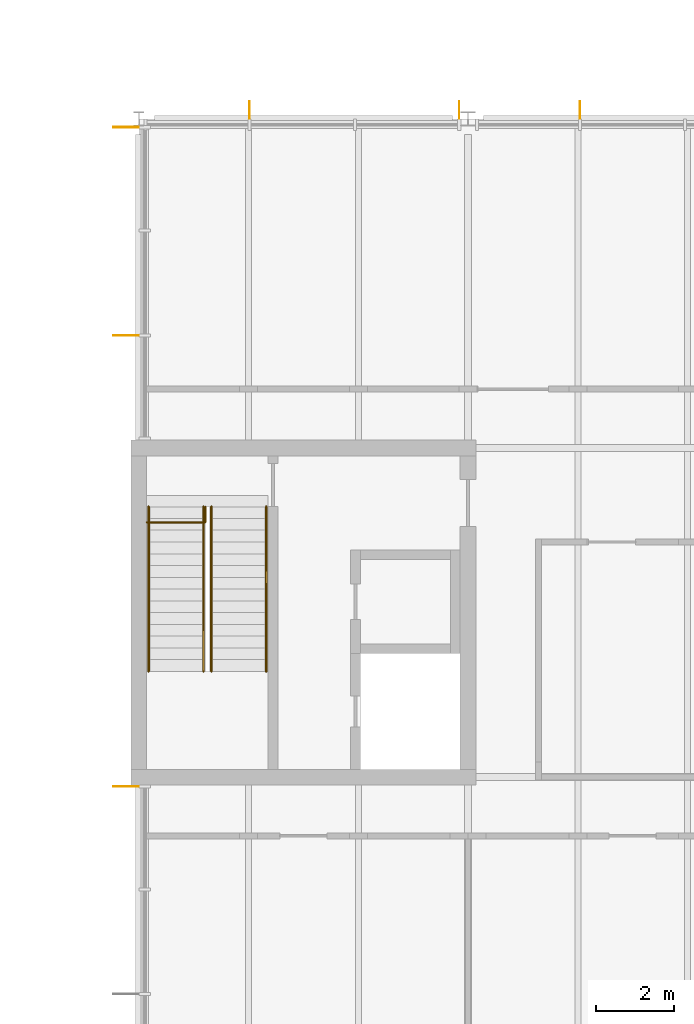
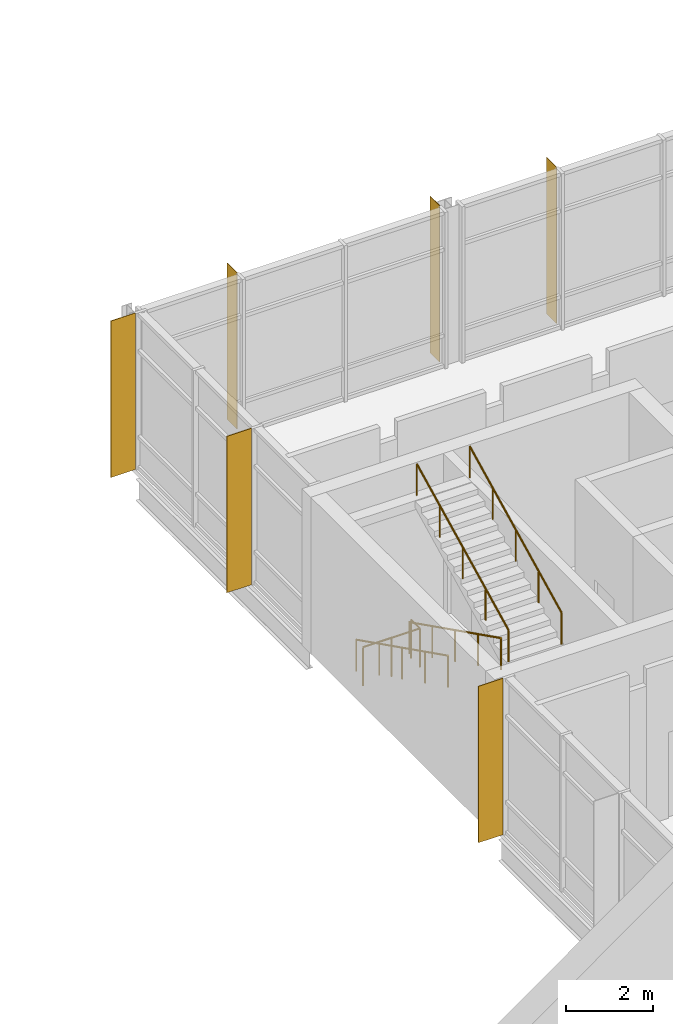
# One storey, part 87 of 89: 6 shading devices, 5 railings.
"""IFC4 building model written with IfcOpenShell, lengths in metres."""

from ifc_helpers import new_model, si_unit, direction, frame, origin, origin_2d, place, context, subcontext, project, spatial, rectangle, circle, extrude, material, layer, layer_set, type_object, element, save


model = new_model("IFC4")

# Units and contexts
model_context = context("Model", 3, precision=1e-05, world=origin(), true_north=direction((0.0, 1.0)))
body_context = subcontext(model_context, "Body", "Model", "MODEL_VIEW")
ifc_project = project(units=[si_unit("LENGTHUNIT", "METRE"), si_unit("AREAUNIT", "SQUARE_METRE"), si_unit("VOLUMEUNIT", "CUBIC_METRE"), si_unit("PLANEANGLEUNIT", "RADIAN"), si_unit("MASSUNIT", "GRAM", prefix="KILO")], contexts=[model_context])

# Site, building, storey
site_placement = place(None, origin())
site = spatial("IfcSite", under=ifc_project, at=site_placement, CompositionType="ELEMENT")
building_placement = place(site_placement, origin())
building = spatial("IfcBuilding", under=site, at=building_placement, Name="Hlaing Beacon Police Headquarters", CompositionType="ELEMENT")
storey_placement = place(building_placement, frame((0.0, 0.0, 9.89990234375)))
storey = spatial("IfcBuildingStorey", under=building, at=storey_placement, Name="L02", CompositionType="ELEMENT", Elevation=9.89990234375)

# Shading devices
ifc_material_1 = material(Name="Aluminium 6063-T5 anodised", Category="aluminium")
ifc_layer_1 = layer(ifc_material_1, 0.011962890625)
ifc_layer_set_1 = layer_set([ifc_layer_1], Name="Aluminium 6063-T5 anodised")
shading_device_type_1 = type_object("IfcShadingDeviceType", Name="Aluminium fin 12x450", PredefinedType="JALOUSIE", material=ifc_layer_set_1)
for number, where, z_axis, x_axis, name in (
    (1, (103.660888671875, 92.625, 0.0), (0.0, 0.0, 1.0), (-1.0, 0.0, 0.0), "Fin L02 N025.2"),
    (2, (100.57568359375, 92.625, 0.0), (0.0, 0.0, 1.0), (-1.0, 0.0, 0.0), "Fin L02 N026.0"),
    (3, (95.223388671875, 92.625, 0.0), (0.0, 0.0, 1.0), (-1.0, 0.0, 0.0), "Fin L02 N026.2"),
):
    element("IfcShadingDevice", number, at=place(storey_placement, frame(where, z_axis=z_axis, x_axis=x_axis)), inside=storey, type_object=shading_device_type_1, Name=name, PredefinedType="JALOUSIE", context=body_context, shape_type="SweptSolid", body=[
        extrude(rectangle(XDim=0.011962890625, YDim=0.449951171875, at=origin_2d()), origin(), (0.0, 0.0, 1.0), 4.3701171875),
    ])
ifc_material_2 = material(Name="Aluminium 6063-T5 anodised", Category="aluminium")
ifc_layer_2 = layer(ifc_material_2, 0.01611328125)
ifc_layer_set_2 = layer_set([ifc_layer_2], Name="Aluminium 6063-T5 anodised")
shading_device_type_2 = type_object("IfcShadingDeviceType", Name="Aluminium fin 16x650", PredefinedType="JALOUSIE", material=ifc_layer_set_2)
for number, where, z_axis, x_axis, name in (
    (4, (92.074951171875, 92.18212890625, 0.0), (0.0, 0.0, 1.0), (0.0, -1.0, 0.0), "Fin L02 W027.0"),
    (5, (92.074951171875, 86.8740234375, 0.0), (0.0, 0.0, 1.0), (0.0, -1.0, 0.0), "Fin L02 W027.2"),
    (6, (92.074951171875, 75.360107421875, 0.0), (0.0, 0.0, 1.0), (0.0, -1.0, 0.0), "Fin L02 W028.0"),
):
    element("IfcShadingDevice", number, at=place(storey_placement, frame(where, z_axis=z_axis, x_axis=x_axis)), inside=storey, type_object=shading_device_type_2, Name=name, PredefinedType="JALOUSIE", context=body_context, shape_type="SweptSolid", body=[
        extrude(rectangle(XDim=0.01611328125, YDim=0.64990234375, at=origin_2d()), origin(), (0.0, 0.0, 1.0), 4.3701171875),
    ])

# Railings
ifc_material_3 = material(Name="Stainless steel", Category="steel")
railing_type_1 = type_object("IfcRailingType", Name="Stair guard 1100", PredefinedType="GUARDRAIL", material=ifc_material_3)
railing_placement = place(storey_placement, frame((92.60009765625, 82.10009765625, 0.0)))
element("IfcRailing", 7, at=railing_placement, inside=storey, type_object=railing_type_1, Name="Guard ST-Q", PredefinedType="GUARDRAIL", context=body_context, shape_type="SweptSolid", body=[
    extrude(circle(Radius=0.02392578125, at=origin_2d()), frame((0.0, 0.0, 1.076171875), z_axis=(1.0, 0.0, 0.0), x_axis=(0.0, 1.0, 0.0)), (0.0, 0.0, 1.0), 1.5),
    extrude(circle(Radius=0.02392578125, at=origin_2d()), frame((1.5, 0.0, 1.076171875), z_axis=(0.0, 1.0, 0.0), x_axis=(-1.0, 0.0, 0.0)), (0.0, 0.0, 1.0), 0.39990234375),
    extrude(circle(Radius=0.02099609375, at=origin_2d()), origin(), (0.0, 0.0, 1.0), 1.052001953125),
    extrude(circle(Radius=0.02099609375, at=origin_2d()), frame((0.75, 0.0, 0.0)), (0.0, 0.0, 1.0), 1.052001953125),
    extrude(circle(Radius=0.02099609375, at=origin_2d()), frame((1.5, 0.0, 0.0)), (0.0, 0.0, 1.0), 1.052001953125),
    extrude(circle(Radius=0.02099609375, at=origin_2d()), frame((1.5, 0.39990234375, 0.0)), (0.0, 0.0, 1.0), 1.052001953125),
])
ifc_material_4 = material(Name="Stainless steel", Category="steel")
railing_type_2 = type_object("IfcRailingType", Name="Stair handrail 900", PredefinedType="HANDRAIL", material=ifc_material_4)
for number, where, name in (
    (8, (92.64990234375, 82.5, 0.150146484375), "Handrail ST-Q"),
    (9, (94.050048828125, 82.5, 0.150146484375), "Handrail ST-Q"),
):
    element("IfcRailing", number, at=place(storey_placement, frame(where)), inside=storey, type_object=railing_type_2, Name=name, PredefinedType="HANDRAIL", context=body_context, shape_type="SweptSolid", body=[
        extrude(circle(Radius=0.02392578125, at=origin_2d()), frame((0.0, 0.0, 0.8759765625), z_axis=(0.0, -0.894437589381, 0.447192798132), x_axis=(1.0, 0.0, 0.0)), (0.0, 0.0, 1.0), 4.695556640625),
        extrude(circle(Radius=0.02099609375, at=origin_2d()), origin(), (0.0, 0.0, 1.0), 0.851806640625),
        extrude(circle(Radius=0.02099609375, at=origin_2d()), frame((0.0, -1.050048828125, 0.52490234375)), (0.0, 0.0, 1.0), 0.851806640625),
        extrude(circle(Radius=0.02099609375, at=origin_2d()), frame((0.0, -2.10009765625, 1.0498046875)), (0.0, 0.0, 1.0), 0.851806640625),
        extrude(circle(Radius=0.02099609375, at=origin_2d()), frame((0.0, -3.14990234375, 1.574951171875)), (0.0, 0.0, 1.0), 0.851806640625),
        extrude(circle(Radius=0.02099609375, at=origin_2d()), frame((0.0, -4.199951171875, 2.099853515625)), (0.0, 0.0, 1.0), 0.851806640625),
    ])
for number, where, name in (
    (10, (94.25, 78.300048828125, 2.400146484375), "Handrail ST-Q"),
    (11, (95.64990234375, 78.300048828125, 2.400146484375), "Handrail ST-Q"),
):
    element("IfcRailing", number, at=place(storey_placement, frame(where)), inside=storey, type_object=railing_type_2, Name=name, PredefinedType="HANDRAIL", context=body_context, shape_type="SweptSolid", body=[
        extrude(circle(Radius=0.02392578125, at=origin_2d()), frame((0.0, 0.0, 0.8759765625), z_axis=(0.0, 0.894437589381, 0.447192798132), x_axis=(-1.0, 0.0, 0.0)), (0.0, 0.0, 1.0), 4.695556640625),
        extrude(circle(Radius=0.02099609375, at=origin_2d()), origin(), (0.0, 0.0, 1.0), 0.851806640625),
        extrude(circle(Radius=0.02099609375, at=origin_2d()), frame((0.0, 1.050048828125, 0.52490234375)), (0.0, 0.0, 1.0), 0.851806640625),
        extrude(circle(Radius=0.02099609375, at=origin_2d()), frame((0.0, 2.10009765625, 1.0498046875)), (0.0, 0.0, 1.0), 0.851806640625),
        extrude(circle(Radius=0.02099609375, at=origin_2d()), frame((0.0, 3.14990234375, 1.574951171875)), (0.0, 0.0, 1.0), 0.851806640625),
        extrude(circle(Radius=0.02099609375, at=origin_2d()), frame((0.0, 4.199951171875, 2.099853515625)), (0.0, 0.0, 1.0), 0.851806640625),
    ])

save(model, "model.ifc")
